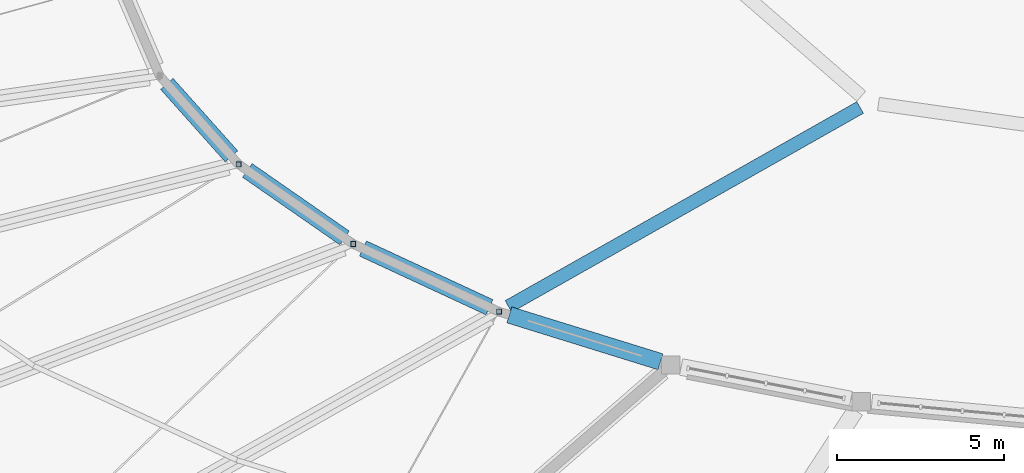
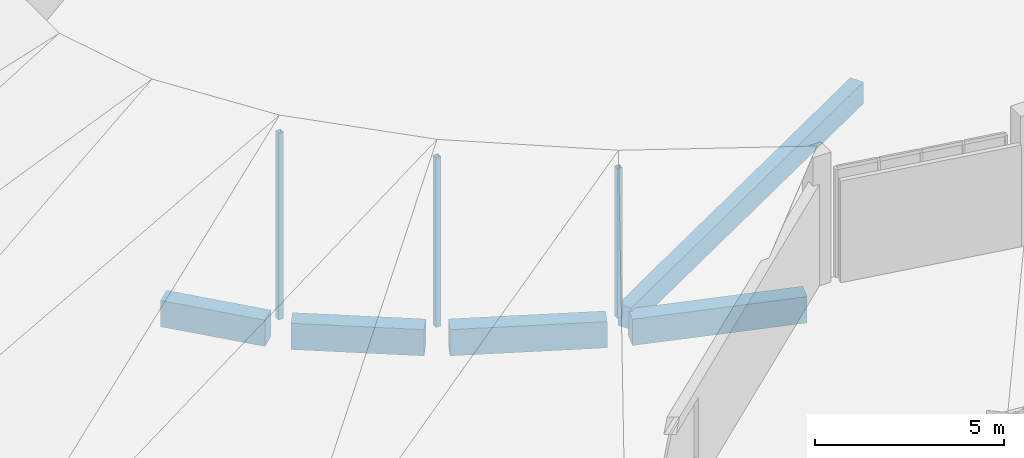
# One storey, part 38 of 142: 5 beams, 3 members.
"""IFC4 building model written with IfcOpenShell, lengths in metres."""

from ifc_helpers import new_model, si_unit, direction, frame, origin, origin_2d, place, context, subcontext, project, spatial, rectangle, hollow_rectangle, extrude, material, material_profile, profile_set, type_object, element, save


model = new_model("IFC4")

# Units and contexts
model_context = context("Model", 3, precision=1e-05, world=origin(), true_north=direction((0.0, 1.0)))
body_context = subcontext(model_context, "Body", "Model", "MODEL_VIEW")
ifc_project = project(units=[si_unit("LENGTHUNIT", "METRE"), si_unit("AREAUNIT", "SQUARE_METRE"), si_unit("VOLUMEUNIT", "CUBIC_METRE"), si_unit("PLANEANGLEUNIT", "RADIAN"), si_unit("MASSUNIT", "GRAM", prefix="KILO")], contexts=[model_context])

# Site, building, storey
site_placement = place(None, origin())
site = spatial("IfcSite", under=ifc_project, at=site_placement, CompositionType="ELEMENT")
building_placement = place(site_placement, origin())
building = spatial("IfcBuilding", under=site, at=building_placement, Name="Corvandel Quay Wholesale Market", CompositionType="ELEMENT")
storey_placement = place(building_placement, frame((0.0, 0.0, 10.800048828125)))
storey = spatial("IfcBuildingStorey", under=building, at=storey_placement, Name="L02", CompositionType="ELEMENT", Elevation=10.800048828125)

# Beams
ifc_material_1 = material(Name="Precast concrete C45/55", Category="concrete")
ifc_material_profile_1 = material_profile(ifc_material_1, rectangle(XDim=0.5, YDim=0.85009765625, at=origin_2d()), Name="PC-GIR-500x850")
ifc_profile_set_1 = profile_set([ifc_material_profile_1], Name="Precast concrete C45/55")
beam_type_1 = type_object("IfcBeamType", Name="Fish Hall Radial Girder G04 500x850", PredefinedType="USERDEFINED", material=ifc_profile_set_1)
beam_1_placement = place(storey_placement, frame((84.05810546875, 111.51416015625, -0.7451171875), z_axis=(0.665705733579, -0.746214363491, 0.0), x_axis=(0.746214363491, 0.665705733579, 0.0)))
element("IfcBeam", 1, at=beam_1_placement, inside=storey, type_object=beam_type_1, Name="Beam BM-0644", ObjectType="GIRDER", PredefinedType="USERDEFINED", context=body_context, shape_type="SweptSolid", body=[
    extrude(rectangle(XDim=0.5, YDim=0.85009765625, at=origin_2d()), origin(), (0.0, 0.0, 1.0), 2.9111328125),
])
beam_2_placement = place(storey_placement, frame((86.4716796875, 108.92041015625, -0.7451171875), z_axis=(0.821316990169, -0.570472086662, 0.0), x_axis=(0.570472086662, 0.821316990169, 0.0)))
element("IfcBeam", 2, at=beam_2_placement, inside=storey, type_object=beam_type_1, Name="Beam BM-0651", ObjectType="GIRDER", PredefinedType="USERDEFINED", context=body_context, shape_type="SweptSolid", body=[
    extrude(rectangle(XDim=0.5, YDim=0.85009765625, at=origin_2d()), origin(), (0.0, 0.0, 1.0), 3.538818359375),
])
beam_3_placement = place(storey_placement, frame((89.93115234375, 106.584228515625, -0.7451171875), z_axis=(0.907007372717, -0.42111474189, 0.0), x_axis=(0.42111474189, 0.907007372717, 0.0)))
element("IfcBeam", 3, at=beam_3_placement, inside=storey, type_object=beam_type_1, Name="Beam BM-0658", ObjectType="GIRDER", PredefinedType="USERDEFINED", context=body_context, shape_type="SweptSolid", body=[
    extrude(rectangle(XDim=0.5, YDim=0.85009765625, at=origin_2d()), origin(), (0.0, 0.0, 1.0), 4.176025390625),
])
beam_4_placement = place(storey_placement, frame((94.314697265625, 104.59619140625, -0.7451171875), z_axis=(0.955058603289, -0.296417044522, 0.0), x_axis=(0.296417044522, 0.955058603289, 0.0)))
element("IfcBeam", 4, at=beam_4_placement, inside=storey, type_object=beam_type_1, Name="Beam BM-0665", ObjectType="GIRDER", PredefinedType="USERDEFINED", context=body_context, shape_type="SweptSolid", body=[
    extrude(rectangle(XDim=0.5, YDim=0.85009765625, at=origin_2d()), origin(), (0.0, 0.0, 1.0), 4.737548828125),
])
ifc_material_profile_2 = material_profile(ifc_material_1, rectangle(XDim=0.39990234375, YDim=0.699951171875, at=origin_2d()), Name="PC-GIR-400x700")
ifc_profile_set_2 = profile_set([ifc_material_profile_2], Name="Precast concrete C45/55")
beam_type_2 = type_object("IfcBeamType", Name="Roof Deck Primary Girder G07 400x700", PredefinedType="USERDEFINED", material=ifc_profile_set_2)
beam_5_placement = place(storey_placement, frame((94.28759765625, 104.848388671875, -0.550048828125), z_axis=(0.870388039185, 0.49236638923, 0.0), x_axis=(-0.49236638923, 0.870388039185, 0.0)))
element("IfcBeam", 5, at=beam_5_placement, inside=storey, type_object=beam_type_2, Name="Beam BM-0513", ObjectType="GIRDER", PredefinedType="USERDEFINED", context=body_context, shape_type="SweptSolid", body=[
    extrude(rectangle(XDim=0.39990234375, YDim=0.699951171875, at=origin_2d()), origin(), (0.0, 0.0, 1.0), 12.099853515625),
])

# Members
ifc_material_2 = material(Name="Steel A500 Grade C", Category="steel")
ifc_material_profile_3 = material_profile(ifc_material_2, hollow_rectangle(XDim=0.152099609375, YDim=0.152099609375, WallThickness=0.0087890625, at=origin_2d()), Name="HSS6X6X3/8")
ifc_profile_set_3 = profile_set([ifc_material_profile_3], Name="Steel A500 Grade C")
member_type = type_object("IfcMemberType", Name="Sawtooth Truss Web Brace BR03 HSS6X6", PredefinedType="BRACE", material=ifc_profile_set_3)
member_1_placement = place(storey_placement, frame((86.208984375, 109.10302734375, -0.340087890625), z_axis=(0.0, 0.0, 1.0), x_axis=(1.0, 0.0, 0.0)))
element("IfcMember", 6, at=member_1_placement, inside=storey, type_object=member_type, Name="Member MEM-0038", PredefinedType="BRACE", context=body_context, shape_type="SweptSolid", body=[
    extrude(hollow_rectangle(XDim=0.152099609375, YDim=0.152099609375, WallThickness=0.0087890625, at=origin_2d()), origin(), (0.0, 0.0, 1.0), 6.028076171875),
])
member_2_placement = place(storey_placement, frame((89.64111328125, 106.718994140625, -0.340087890625), z_axis=(0.0, 0.0, 1.0), x_axis=(1.0, 0.0, 0.0)))
element("IfcMember", 7, at=member_2_placement, inside=storey, type_object=member_type, Name="Member MEM-0041", PredefinedType="BRACE", context=body_context, shape_type="SweptSolid", body=[
    extrude(hollow_rectangle(XDim=0.152099609375, YDim=0.152099609375, WallThickness=0.0087890625, at=origin_2d()), origin(), (0.0, 0.0, 1.0), 5.488037109375),
])
member_3_placement = place(storey_placement, frame((94.009033203125, 104.69091796875, -0.340087890625), z_axis=(0.0, 0.0, 1.0), x_axis=(1.0, 0.0, 0.0)))
element("IfcMember", 8, at=member_3_placement, inside=storey, type_object=member_type, Name="Member MEM-0044", PredefinedType="BRACE", context=body_context, shape_type="SweptSolid", body=[
    extrude(hollow_rectangle(XDim=0.152099609375, YDim=0.152099609375, WallThickness=0.0087890625, at=origin_2d()), origin(), (0.0, 0.0, 1.0), 4.8359375),
])

save(model, "model.ifc")
